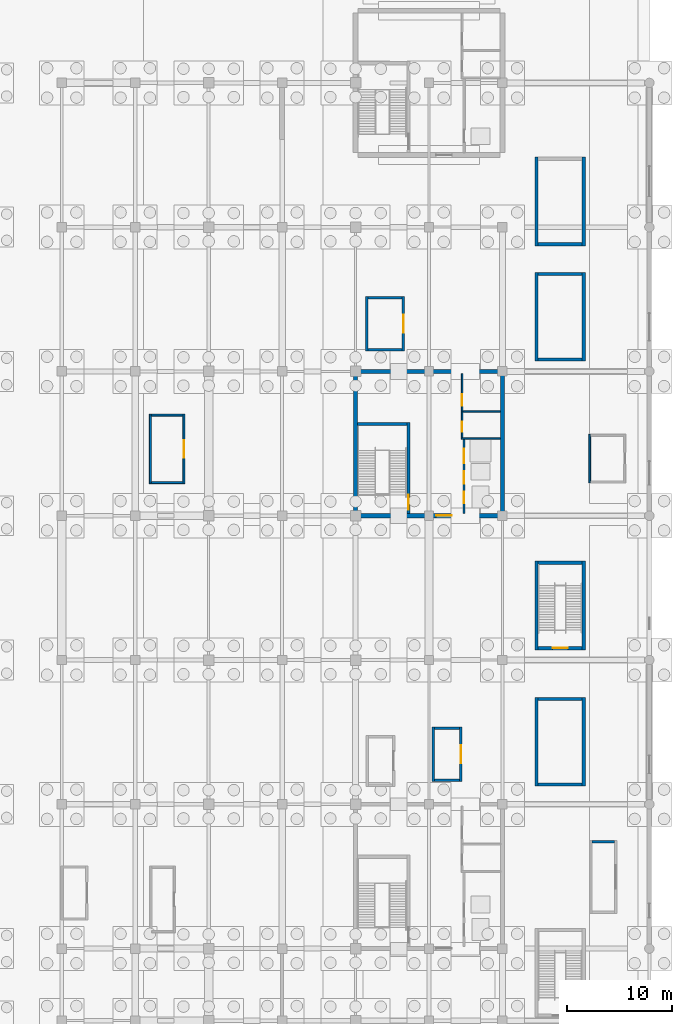
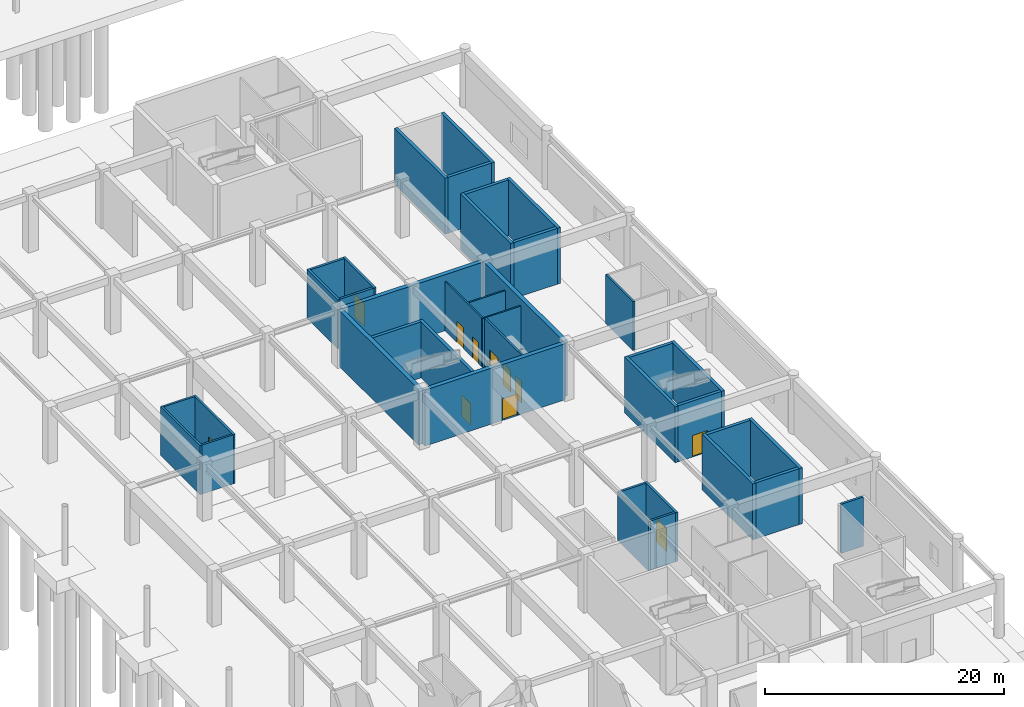
# One storey, part 45 of 62: 39 walls, 11 doors, 11 openings.
"""IFC4 building model written with IfcOpenShell, lengths in metres."""

from ifc_helpers import new_model, si_unit, direction, frame, frame_2d, origin, place, context, subcontext, project, spatial, rectangle, extrude, material, layer, layer_set, type_object, element, fill, save


model = new_model("IFC4")

# Units and contexts
model_context = context("Model", 3, precision=1e-05, world=origin(), true_north=direction((0.0, 1.0)))
body_context = subcontext(model_context, "Body", "Model", "MODEL_VIEW")
ifc_project = project(units=[si_unit("LENGTHUNIT", "METRE"), si_unit("AREAUNIT", "SQUARE_METRE"), si_unit("VOLUMEUNIT", "CUBIC_METRE"), si_unit("PLANEANGLEUNIT", "RADIAN"), si_unit("MASSUNIT", "GRAM", prefix="KILO")], contexts=[model_context])

# Site, building, storey
site_placement = place(None, origin())
site = spatial("IfcSite", under=ifc_project, at=site_placement, CompositionType="ELEMENT")
building_placement = place(site_placement, origin())
building = spatial("IfcBuilding", under=site, at=building_placement, Name="Linyun Crest Stadium", CompositionType="ELEMENT")
storey_placement = place(building_placement, frame((0.0, 0.0, -6.0)))
storey = spatial("IfcBuildingStorey", under=building, at=storey_placement, Name="B1", CompositionType="ELEMENT", Elevation=-6.0)

# Walls
ifc_material_1 = material(Name="Concrete C50", Category="concrete")
ifc_layer_1 = layer(ifc_material_1, 0.39990234375)
ifc_layer_set_1 = layer_set([ifc_layer_1], Name="Concrete C50")
wall_type_1 = type_object("IfcWallType", Name="CW02", PredefinedType="SHEAR", material=ifc_layer_set_1)
for number, where, z_axis, x_axis, name in (
    (1, (70.0, 2.324951171875, 0.0), (0.0, 0.0, 1.0), (0.0, 1.0, 0.0), "Core shear wall CW02 CORE-E2 B1.1"),
    (2, (84.0, 2.324951171875, 0.0), (0.0, 0.0, 1.0), (0.0, 1.0, 0.0), "Core shear wall CW02 CORE-E2 B1.2"),
):
    element("IfcWall", number, at=place(storey_placement, frame(where, z_axis=z_axis, x_axis=x_axis)), inside=storey, type_object=wall_type_1, Name=name, PredefinedType="SHEAR", context=body_context, shape_type="SweptSolid", body=[
        extrude(rectangle(XDim=13.35009765625, YDim=0.39990234375, at=frame_2d((6.675048828125, 0.0))), origin(), (0.0, 0.0, 1.0), 5.719970703125),
    ])

# Wall, opening, door
wall_1_placement = place(storey_placement, frame((70.199951171875, 2.125, 0.0), z_axis=(0.0, 0.0, 1.0), x_axis=(1.0, 0.0, 0.0)))
wall_1 = element("IfcWall", 3, at=wall_1_placement, inside=storey, type_object=wall_type_1, Name="Core shear wall CW02 CORE-E2 B1.3", PredefinedType="SHEAR", context=body_context, shape_type="SweptSolid", body=[
    extrude(rectangle(XDim=13.60009765625, YDim=0.39990234375, at=frame_2d((6.800048828125, 0.0))), origin(), (0.0, 0.0, 1.0), 5.719970703125),
])
opening_1_placement = place(wall_1_placement, frame((7.47998046875, 0.0, 0.0)))
opening_1 = element("IfcOpeningElement", 4, at=opening_1_placement, cuts=wall_1, Name="Opening D-B1-184", PredefinedType="OPENING", context=body_context, shape_type="SweptSolid", body=[
    extrude(rectangle(XDim=1.5, YDim=2.199951171875, at=frame_2d((0.75, 1.10009765625))), frame((0.0, 0.2099609375, 0.0), z_axis=(0.0, -1.0, 0.0), x_axis=(1.0, 0.0, 0.0)), (0.0, 0.0, 1.0), 0.419921875),
])
ifc_material_2 = material(Name="Galvanized steel Class A fire door", Category="steel")
ifc_layer_2 = layer(ifc_material_2, 0.054931640625)
ifc_layer_set_2 = layer_set([ifc_layer_2], Name="Galvanized steel Class A fire door")
door_type_1 = type_object("IfcDoorType", Name="FD01", OperationType="NOTDEFINED", PredefinedType="DOOR", material=ifc_layer_set_2)
door_1_placement = place(opening_1_placement, origin())
door_1 = element("IfcDoor", 5, at=door_1_placement, inside=storey, type_object=door_type_1, Name="Door D-B1-184", OperationType="SINGLE_SWING_RIGHT", OverallHeight=2.199951171875, OverallWidth=1.5, PredefinedType="DOOR", context=body_context, shape_type="SweptSolid", body=[
    extrude(rectangle(XDim=1.5, YDim=2.199951171875, at=frame_2d((0.75, 1.10009765625))), frame((0.0, 0.02490234375, 0.0), z_axis=(0.0, -1.0, 0.0), x_axis=(1.0, 0.0, 0.0)), (0.0, 0.0, 1.0), 0.050048828125),
])
fill(opening_1, door_1)

# Wall
wall_2_placement = place(storey_placement, frame((70.199951171875, 15.875, 0.0), z_axis=(0.0, 0.0, 1.0), x_axis=(1.0, 0.0, 0.0)))
element("IfcWall", 6, at=wall_2_placement, inside=storey, type_object=wall_type_1, Name="Core shear wall CW02 CORE-E2 B1.4", PredefinedType="SHEAR", context=body_context, shape_type="SweptSolid", body=[
    extrude(rectangle(XDim=13.60009765625, YDim=0.39990234375, at=frame_2d((6.800048828125, 0.0))), origin(), (0.0, 0.0, 1.0), 5.719970703125),
])

# Wall, openings, doors
ifc_material_3 = material(Name="Autoclaved aerated concrete block fire partition", Category="concrete")
ifc_layer_3 = layer(ifc_material_3, 0.179931640625)
ifc_layer_set_3 = layer_set([ifc_layer_3], Name="Autoclaved aerated concrete block fire partition")
wall_type_2 = type_object("IfcWallType", Name="PW12", PredefinedType="PARTITIONING", material=ifc_layer_set_3)
wall_3_placement = place(storey_placement, frame((80.35009765625, 2.324951171875, 0.0), z_axis=(0.0, 0.0, 1.0), x_axis=(0.0, 1.0, 0.0)))
wall_3 = element("IfcWall", 7, at=wall_3_placement, inside=storey, type_object=wall_type_2, Name="Partition PW12 B1 69", PredefinedType="PARTITIONING", context=body_context, shape_type="SweptSolid", body=[
    extrude(rectangle(XDim=7.080078125, YDim=0.179931640625, at=frame_2d((3.5400390625, 0.0))), origin(), (0.0, 0.0, 1.0), 5.02001953125),
])
opening_2_placement = place(wall_3_placement, frame((1.0, 0.0, 0.0)))
opening_2 = element("IfcOpeningElement", 8, at=opening_2_placement, cuts=wall_3, Name="Opening LD061", PredefinedType="OPENING", context=body_context, shape_type="SweptSolid", body=[
    extrude(rectangle(XDim=1.10009765625, YDim=2.199951171875, at=frame_2d((0.550048828125, 1.10009765625))), frame((0.0, 0.099853515625, 0.0), z_axis=(0.0, -1.0, 0.0), x_axis=(1.0, 0.0, 0.0)), (0.0, 0.0, 1.0), 0.199951171875),
])
opening_3_placement = place(wall_3_placement, frame((2.85009765625, 0.0, 0.0)))
opening_3 = element("IfcOpeningElement", 9, at=opening_3_placement, cuts=wall_3, Name="Opening LD062", PredefinedType="OPENING", context=body_context, shape_type="SweptSolid", body=[
    extrude(rectangle(XDim=1.199951171875, YDim=2.25, at=frame_2d((0.60009765625, 1.125))), frame((0.0, 0.099853515625, 0.0), z_axis=(0.0, -1.0, 0.0), x_axis=(1.0, 0.0, 0.0)), (0.0, 0.0, 1.0), 0.199951171875),
])
opening_4_placement = place(wall_3_placement, frame((4.800048828125, 0.0, 0.0)))
opening_4 = element("IfcOpeningElement", 10, at=opening_4_placement, cuts=wall_3, Name="Opening LD063", PredefinedType="OPENING", context=body_context, shape_type="SweptSolid", body=[
    extrude(rectangle(XDim=1.39990234375, YDim=2.300048828125, at=frame_2d((0.699951171875, 1.14990234375))), frame((0.0, 0.099853515625, 0.0), z_axis=(0.0, -1.0, 0.0), x_axis=(1.0, 0.0, 0.0)), (0.0, 0.0, 1.0), 0.199951171875),
])
ifc_material_4 = material(Name="Brushed stainless sliding lift door")
ifc_layer_4 = layer(ifc_material_4, 0.050048828125)
ifc_layer_set_4 = layer_set([ifc_layer_4], Name="Brushed stainless sliding lift door")
door_type_2 = type_object("IfcDoorType", Name="LD01", OperationType="NOTDEFINED", PredefinedType="DOOR", material=ifc_layer_set_4)
door_2_placement = place(opening_2_placement, origin())
door_2 = element("IfcDoor", 11, at=door_2_placement, inside=storey, type_object=door_type_2, Name="Lift landing door LD061", OperationType="DOUBLE_DOOR_SLIDING", OverallHeight=2.199951171875, OverallWidth=1.10009765625, PredefinedType="DOOR", context=body_context, shape_type="SweptSolid", body=[
    extrude(rectangle(XDim=1.10009765625, YDim=2.199951171875, at=frame_2d((0.550048828125, 1.10009765625))), frame((0.0, 0.02490234375, 0.0), z_axis=(0.0, -1.0, 0.0), x_axis=(1.0, 0.0, 0.0)), (0.0, 0.0, 1.0), 0.050048828125),
])
fill(opening_2, door_2)
ifc_material_5 = material(Name="Brushed stainless sliding lift door")
ifc_layer_5 = layer(ifc_material_5, 0.050048828125)
ifc_layer_set_5 = layer_set([ifc_layer_5], Name="Brushed stainless sliding lift door")
door_type_3 = type_object("IfcDoorType", Name="LD02", OperationType="NOTDEFINED", PredefinedType="DOOR", material=ifc_layer_set_5)
door_3_placement = place(opening_3_placement, origin())
door_3 = element("IfcDoor", 12, at=door_3_placement, inside=storey, type_object=door_type_3, Name="Lift landing door LD062", OperationType="DOUBLE_DOOR_SLIDING", OverallHeight=2.25, OverallWidth=1.199951171875, PredefinedType="DOOR", context=body_context, shape_type="SweptSolid", body=[
    extrude(rectangle(XDim=1.199951171875, YDim=2.25, at=frame_2d((0.60009765625, 1.125))), frame((0.0, 0.02490234375, 0.0), z_axis=(0.0, -1.0, 0.0), x_axis=(1.0, 0.0, 0.0)), (0.0, 0.0, 1.0), 0.050048828125),
])
fill(opening_3, door_3)
ifc_material_6 = material(Name="Heavy-duty stainless sliding door")
ifc_layer_6 = layer(ifc_material_6, 0.054931640625)
ifc_layer_set_6 = layer_set([ifc_layer_6], Name="Heavy-duty stainless sliding door")
door_type_4 = type_object("IfcDoorType", Name="LD03", OperationType="NOTDEFINED", PredefinedType="DOOR", material=ifc_layer_set_6)
door_4_placement = place(opening_4_placement, origin())
door_4 = element("IfcDoor", 13, at=door_4_placement, inside=storey, type_object=door_type_4, Name="Lift landing door LD063", OperationType="DOUBLE_DOOR_SLIDING", OverallHeight=2.300048828125, OverallWidth=1.39990234375, PredefinedType="DOOR", context=body_context, shape_type="SweptSolid", body=[
    extrude(rectangle(XDim=1.39990234375, YDim=2.300048828125, at=frame_2d((0.699951171875, 1.14990234375))), frame((0.0, 0.02490234375, 0.0), z_axis=(0.0, -1.0, 0.0), x_axis=(1.0, 0.0, 0.0)), (0.0, 0.0, 1.0), 0.050048828125),
])
fill(opening_4, door_4)

# Wall
ifc_material_7 = material(Name="Double steel-stud acoustic fire partition", Category="steel")
ifc_layer_7 = layer(ifc_material_7, 0.1650390625)
ifc_layer_set_7 = layer_set([ifc_layer_7], Name="Double steel-stud acoustic fire partition")
wall_type_3 = type_object("IfcWallType", Name="PW13", PredefinedType="PARTITIONING", material=ifc_layer_set_7)
wall_4_placement = place(storey_placement, frame((92.322998046875, 5.26806640625, 0.0), z_axis=(0.0, 0.0, 1.0), x_axis=(0.0, 1.0, 0.0)))
element("IfcWall", 14, at=wall_4_placement, inside=storey, type_object=wall_type_3, Name="Enclosure partition PW13 B1 160", PredefinedType="PARTITIONING", context=body_context, shape_type="SweptSolid", body=[
    extrude(rectangle(XDim=4.599853515625, YDim=0.1650390625, at=frame_2d((2.2998046875, 0.0))), origin(), (0.0, 0.0, 1.0), 5.02001953125),
])

# Wall, openings, doors
ifc_material_8 = material(Name="Moisture-resistant ceramic-tiled wet-room wall")
ifc_layer_8 = layer(ifc_material_8, 0.139892578125)
ifc_layer_set_8 = layer_set([ifc_layer_8], Name="Moisture-resistant ceramic-tiled wet-room wall")
wall_type_4 = type_object("IfcWallType", Name="PW15", PredefinedType="PARTITIONING", material=ifc_layer_set_8)
wall_5_placement = place(storey_placement, frame((80.14990234375, 9.544921875, 0.0), z_axis=(0.0, 0.0, 1.0), x_axis=(0.0, 1.0, 0.0)))
wall_5 = element("IfcWall", 15, at=wall_5_placement, inside=storey, type_object=wall_type_4, Name="Partition PW15 B1 70", PredefinedType="PARTITIONING", context=body_context, shape_type="SweptSolid", body=[
    extrude(rectangle(XDim=6.130126953125, YDim=0.139892578125, at=frame_2d((3.06494140625, 0.0))), origin(), (0.0, 0.0, 1.0), 5.02001953125),
])
opening_5_placement = place(wall_5_placement, frame((0.580078125, 0.0, 0.0)))
opening_5 = element("IfcOpeningElement", 16, at=opening_5_placement, cuts=wall_5, Name="Opening D-B1-189", PredefinedType="OPENING", context=body_context, shape_type="SweptSolid", body=[
    extrude(rectangle(XDim=0.949951171875, YDim=2.14990234375, at=frame_2d((0.47509765625, 1.074951171875))), frame((0.0, 0.079833984375, 0.0), z_axis=(0.0, -1.0, 0.0), x_axis=(1.0, 0.0, 0.0)), (0.0, 0.0, 1.0), 0.159912109375),
])
opening_6_placement = place(wall_5_placement, frame((3.080078125, 0.0, 0.0)))
opening_6 = element("IfcOpeningElement", 17, at=opening_6_placement, cuts=wall_5, Name="Opening D-B1-190", PredefinedType="OPENING", context=body_context, shape_type="SweptSolid", body=[
    extrude(rectangle(XDim=1.10009765625, YDim=2.14990234375, at=frame_2d((0.550048828125, 1.074951171875))), frame((0.0, 0.079833984375, 0.0), z_axis=(0.0, -1.0, 0.0), x_axis=(1.0, 0.0, 0.0)), (0.0, 0.0, 1.0), 0.159912109375),
])
ifc_material_9 = material(Name="Moisture-resistant laminate leaf")
ifc_layer_9 = layer(ifc_material_9, 0.044921875)
ifc_layer_set_9 = layer_set([ifc_layer_9], Name="Moisture-resistant laminate leaf")
door_type_5 = type_object("IfcDoorType", Name="ID02", OperationType="NOTDEFINED", PredefinedType="DOOR", material=ifc_layer_set_9)
door_5_placement = place(opening_5_placement, origin())
door_5 = element("IfcDoor", 18, at=door_5_placement, inside=storey, type_object=door_type_5, Name="Door D-B1-189", OperationType="SINGLE_SWING_LEFT", OverallHeight=2.14990234375, OverallWidth=0.949951171875, PredefinedType="DOOR", context=body_context, shape_type="SweptSolid", body=[
    extrude(rectangle(XDim=0.949951171875, YDim=2.14990234375, at=frame_2d((0.47509765625, 1.074951171875))), frame((0.0, 0.02490234375, 0.0), z_axis=(0.0, -1.0, 0.0), x_axis=(1.0, 0.0, 0.0)), (0.0, 0.0, 1.0), 0.050048828125),
])
fill(opening_5, door_5)
ifc_material_10 = material(Name="Moisture-resistant laminate leaf")
ifc_layer_10 = layer(ifc_material_10, 0.044921875)
ifc_layer_set_10 = layer_set([ifc_layer_10], Name="Moisture-resistant laminate leaf")
door_type_6 = type_object("IfcDoorType", Name="ID03", OperationType="NOTDEFINED", PredefinedType="DOOR", material=ifc_layer_set_10)
door_6_placement = place(opening_6_placement, origin())
door_6 = element("IfcDoor", 19, at=door_6_placement, inside=storey, type_object=door_type_6, Name="Door D-B1-190", OperationType="SINGLE_SWING_RIGHT", OverallHeight=2.14990234375, OverallWidth=1.10009765625, PredefinedType="DOOR", context=body_context, shape_type="SweptSolid", body=[
    extrude(rectangle(XDim=1.10009765625, YDim=2.14990234375, at=frame_2d((0.550048828125, 1.074951171875))), frame((0.0, 0.02490234375, 0.0), z_axis=(0.0, -1.0, 0.0), x_axis=(1.0, 0.0, 0.0)), (0.0, 0.0, 1.0), 0.050048828125),
])
fill(opening_6, door_6)

# Walls
wall_6_placement = place(storey_placement, frame((80.080078125, 9.47509765625, 0.0), z_axis=(0.0, 0.0, 1.0), x_axis=(1.0, 0.0, 0.0)))
element("IfcWall", 20, at=wall_6_placement, inside=storey, type_object=wall_type_4, Name="Enclosure partition PW15 B1 55", PredefinedType="PARTITIONING", context=body_context, shape_type="SweptSolid", body=[
    extrude(rectangle(XDim=3.719970703125, YDim=0.139892578125, at=frame_2d((1.85986328125, 0.0))), origin(), (0.0, 0.0, 1.0), 5.02001953125),
])
wall_7_placement = place(storey_placement, frame((80.219970703125, 12.074951171875, 0.0), z_axis=(0.0, 0.0, 1.0), x_axis=(1.0, 0.0, 0.0)))
element("IfcWall", 21, at=wall_7_placement, inside=storey, type_object=wall_type_4, Name="Enclosure partition PW15 B1 56", PredefinedType="PARTITIONING", context=body_context, shape_type="SweptSolid", body=[
    extrude(rectangle(XDim=3.580078125, YDim=0.139892578125, at=frame_2d((1.7900390625, 0.0))), origin(), (0.0, 0.0, 1.0), 5.02001953125),
])

# Wall, opening, door
ifc_material_11 = material(Name="Acoustic broadcast studio double-leaf partition")
ifc_layer_11 = layer(ifc_material_11, 0.219970703125)
ifc_layer_set_11 = layer_set([ifc_layer_11], Name="Acoustic broadcast studio double-leaf partition")
wall_type_5 = type_object("IfcWallType", Name="PW16", PredefinedType="PARTITIONING", material=ifc_layer_set_11)
wall_8_placement = place(storey_placement, frame((74.552978515625, 23.013916015625, 0.0), z_axis=(0.0, 0.0, 1.0), x_axis=(0.0, -1.0, 0.0)))
wall_8 = element("IfcWall", 22, at=wall_8_placement, inside=storey, type_object=wall_type_5, Name="Partition PW16 B1 150", PredefinedType="PARTITIONING", context=body_context, shape_type="SweptSolid", body=[
    extrude(rectangle(XDim=5.179931640625, YDim=0.219970703125, at=frame_2d((2.58984375, 0.0))), origin(), (0.0, 0.0, 1.0), 5.02001953125),
])
opening_7_placement = place(wall_8_placement, frame((1.715087890625, 0.0, 0.0)))
opening_7 = element("IfcOpeningElement", 23, at=opening_7_placement, cuts=wall_8, Name="Opening D-B1-413", PredefinedType="OPENING", context=body_context, shape_type="SweptSolid", body=[
    extrude(rectangle(XDim=1.75, YDim=2.35009765625, at=frame_2d((0.875, 1.175048828125))), frame((0.0, 0.119873046875, 0.0), z_axis=(0.0, -1.0, 0.0), x_axis=(1.0, 0.0, 0.0)), (0.0, 0.0, 1.0), 0.239990234375),
])
ifc_material_12 = material(Name="Art Nouveau brass-inlaid double door")
ifc_layer_12 = layer(ifc_material_12, 0.054931640625)
ifc_layer_set_12 = layer_set([ifc_layer_12], Name="Art Nouveau brass-inlaid double door")
door_type_7 = type_object("IfcDoorType", Name="ID13", OperationType="NOTDEFINED", PredefinedType="DOOR", material=ifc_layer_set_12)
door_7_placement = place(opening_7_placement, origin())
door_7 = element("IfcDoor", 24, at=door_7_placement, inside=storey, type_object=door_type_7, Name="Door D-B1-413", OperationType="DOUBLE_DOOR_SINGLE_SWING", OverallHeight=2.35009765625, OverallWidth=1.75, PredefinedType="DOOR", context=body_context, shape_type="SweptSolid", body=[
    extrude(rectangle(XDim=1.75, YDim=2.35009765625, at=frame_2d((0.875, 1.175048828125))), frame((0.0, 0.02490234375, 0.0), z_axis=(0.0, -1.0, 0.0), x_axis=(1.0, 0.0, 0.0)), (0.0, 0.0, 1.0), 0.050048828125),
])
fill(opening_7, door_7)

wall_9_placement = place(storey_placement, frame((80.035888671875, -18.010009765625, 0.0), z_axis=(0.0, 0.0, 1.0), x_axis=(0.0, -1.0, 0.0)))
wall_9 = element("IfcWall", 25, at=wall_9_placement, inside=storey, type_object=wall_type_5, Name="Partition PW16 B1 253", PredefinedType="PARTITIONING", context=body_context, shape_type="SweptSolid", body=[
    extrude(rectangle(XDim=5.179931640625, YDim=0.219970703125, at=frame_2d((2.58984375, 0.0))), origin(), (0.0, 0.0, 1.0), 5.02001953125),
])
opening_8_placement = place(wall_9_placement, frame((1.715087890625, 0.0, 0.0)))
opening_8 = element("IfcOpeningElement", 26, at=opening_8_placement, cuts=wall_9, Name="Opening D-B1-516", PredefinedType="OPENING", context=body_context, shape_type="SweptSolid", body=[
    extrude(rectangle(XDim=1.75, YDim=2.35009765625, at=frame_2d((0.875, 1.175048828125))), frame((0.0, 0.119873046875, 0.0), z_axis=(0.0, -1.0, 0.0), x_axis=(1.0, 0.0, 0.0)), (0.0, 0.0, 1.0), 0.239990234375),
])
door_8_placement = place(opening_8_placement, origin())
door_8 = element("IfcDoor", 27, at=door_8_placement, inside=storey, type_object=door_type_7, Name="Door D-B1-516", OperationType="DOUBLE_DOOR_SINGLE_SWING", OverallHeight=2.35009765625, OverallWidth=1.75, PredefinedType="DOOR", context=body_context, shape_type="SweptSolid", body=[
    extrude(rectangle(XDim=1.75, YDim=2.35009765625, at=frame_2d((0.875, 1.175048828125))), frame((0.0, 0.02490234375, 0.0), z_axis=(0.0, -1.0, 0.0), x_axis=(1.0, 0.0, 0.0)), (0.0, 0.0, 1.0), 0.050048828125),
])
fill(opening_8, door_8)

# Walls
wall_10_placement = place(storey_placement, frame((71.072998046875, 17.833984375, 0.0), z_axis=(0.0, 0.0, 1.0), x_axis=(0.0, 1.0, 0.0)))
element("IfcWall", 28, at=wall_10_placement, inside=storey, type_object=wall_type_5, Name="Enclosure partition PW16 B1 166", PredefinedType="PARTITIONING", context=body_context, shape_type="SweptSolid", body=[
    extrude(rectangle(XDim=5.179931640625, YDim=0.219970703125, at=frame_2d((2.58984375, 0.0))), origin(), (0.0, 0.0, 1.0), 5.02001953125),
])
for number, where, z_axis, x_axis, name in (
    (29, (71.18310546875, 17.944091796875, 0.0), (0.0, 0.0, 1.0), (1.0, 0.0, 0.0), "Enclosure partition PW16 B1 167"),
    (30, (71.18310546875, 22.904052734375, 0.0), (0.0, 0.0, 1.0), (1.0, 0.0, 0.0), "Enclosure partition PW16 B1 168"),
):
    element("IfcWall", number, at=place(storey_placement, frame(where, z_axis=z_axis, x_axis=x_axis)), inside=storey, type_object=wall_type_5, Name=name, PredefinedType="PARTITIONING", context=body_context, shape_type="SweptSolid", body=[
        extrude(rectangle(XDim=3.260009765625, YDim=0.219970703125, at=frame_2d((1.6298828125, 0.0))), origin(), (0.0, 0.0, 1.0), 5.02001953125),
    ])
wall_11_placement = place(storey_placement, frame((77.39599609375, -23.18994140625, 0.0), z_axis=(0.0, 0.0, 1.0), x_axis=(0.0, 1.0, 0.0)))
element("IfcWall", 31, at=wall_11_placement, inside=storey, type_object=wall_type_5, Name="Enclosure partition PW16 B1 475", PredefinedType="PARTITIONING", context=body_context, shape_type="SweptSolid", body=[
    extrude(rectangle(XDim=5.179931640625, YDim=0.219970703125, at=frame_2d((2.58984375, 0.0))), origin(), (0.0, 0.0, 1.0), 5.02001953125),
])
for number, where, z_axis, x_axis, name in (
    (32, (77.506103515625, -23.080078125, 0.0), (0.0, 0.0, 1.0), (1.0, 0.0, 0.0), "Enclosure partition PW16 B1 476"),
    (33, (77.506103515625, -18.1201171875, 0.0), (0.0, 0.0, 1.0), (1.0, 0.0, 0.0), "Enclosure partition PW16 B1 477"),
):
    element("IfcWall", number, at=place(storey_placement, frame(where, z_axis=z_axis, x_axis=x_axis)), inside=storey, type_object=wall_type_5, Name=name, PredefinedType="PARTITIONING", context=body_context, shape_type="SweptSolid", body=[
        extrude(rectangle(XDim=2.419921875, YDim=0.219970703125, at=frame_2d((1.2099609375, 0.0))), origin(), (0.0, 0.0, 1.0), 5.02001953125),
    ])

# Wall, opening, door
ifc_material_13 = material(Name="Ticketing hall security partition")
ifc_layer_13 = layer(ifc_material_13, 0.18994140625)
ifc_layer_set_13 = layer_set([ifc_layer_13], Name="Ticketing hall security partition")
wall_type_6 = type_object("IfcWallType", Name="PW25", PredefinedType="PARTITIONING", material=ifc_layer_set_13)
wall_12_placement = place(storey_placement, frame((53.638916015625, 11.805908203125, 0.0), z_axis=(0.0, 0.0, 1.0), x_axis=(0.0, -1.0, 0.0)))
wall_12 = element("IfcWall", 34, at=wall_12_placement, inside=storey, type_object=wall_type_6, Name="Partition PW25 B1 146", PredefinedType="PARTITIONING", context=body_context, shape_type="SweptSolid", body=[
    extrude(rectangle(XDim=6.6298828125, YDim=0.18994140625, at=frame_2d((3.31494140625, 0.0))), origin(), (0.0, 0.0, 1.0), 5.02001953125),
])
opening_9_placement = place(wall_12_placement, frame((2.489990234375, 0.0, 0.0)))
opening_9 = element("IfcOpeningElement", 35, at=opening_9_placement, cuts=wall_12, Name="Opening D-B1-409", PredefinedType="OPENING", context=body_context, shape_type="SweptSolid", body=[
    extrude(rectangle(XDim=1.64990234375, YDim=2.300048828125, at=frame_2d((0.824951171875, 1.14990234375))), frame((0.0, 0.10498046875, 0.0), z_axis=(0.0, -1.0, 0.0), x_axis=(1.0, 0.0, 0.0)), (0.0, 0.0, 1.0), 0.2099609375),
])
ifc_material_14 = material(Name="Double-leaf acoustic timber door", Category="wood")
ifc_layer_14 = layer(ifc_material_14, 0.050048828125)
ifc_layer_set_14 = layer_set([ifc_layer_14], Name="Double-leaf acoustic timber door")
door_type_8 = type_object("IfcDoorType", Name="ID09", OperationType="NOTDEFINED", PredefinedType="DOOR", material=ifc_layer_set_14)
door_9_placement = place(opening_9_placement, origin())
door_9 = element("IfcDoor", 36, at=door_9_placement, inside=storey, type_object=door_type_8, Name="Door D-B1-409", OperationType="SINGLE_SWING_LEFT", OverallHeight=2.300048828125, OverallWidth=1.64990234375, PredefinedType="DOOR", context=body_context, shape_type="SweptSolid", body=[
    extrude(rectangle(XDim=1.64990234375, YDim=2.300048828125, at=frame_2d((0.824951171875, 1.14990234375))), frame((0.0, 0.02490234375, 0.0), z_axis=(0.0, -1.0, 0.0), x_axis=(1.0, 0.0, 0.0)), (0.0, 0.0, 1.0), 0.050048828125),
])
fill(opening_9, door_9)

# Walls
wall_13_placement = place(storey_placement, frame((50.43896484375, 5.176025390625, 0.0), z_axis=(0.0, 0.0, 1.0), x_axis=(0.0, 1.0, 0.0)))
element("IfcWall", 37, at=wall_13_placement, inside=storey, type_object=wall_type_6, Name="Enclosure partition PW25 B1 154", PredefinedType="PARTITIONING", context=body_context, shape_type="SweptSolid", body=[
    extrude(rectangle(XDim=6.6298828125, YDim=0.18994140625, at=frame_2d((3.31494140625, 0.0))), origin(), (0.0, 0.0, 1.0), 5.02001953125),
])
for number, where, z_axis, x_axis, name in (
    (38, (50.533935546875, 5.27099609375, 0.0), (0.0, 0.0, 1.0), (1.0, 0.0, 0.0), "Enclosure partition PW25 B1 155"),
    (39, (50.533935546875, 11.7109375, 0.0), (0.0, 0.0, 1.0), (1.0, 0.0, 0.0), "Enclosure partition PW25 B1 156"),
):
    element("IfcWall", number, at=place(storey_placement, frame(where, z_axis=z_axis, x_axis=x_axis)), inside=storey, type_object=wall_type_6, Name=name, PredefinedType="PARTITIONING", context=body_context, shape_type="SweptSolid", body=[
        extrude(rectangle(XDim=3.010009765625, YDim=0.18994140625, at=frame_2d((1.5048828125, 0.0))), origin(), (0.0, 0.0, 1.0), 5.02001953125),
    ])
ifc_material_15 = material(Name="Kitchen hood and service riser enclosure wall")
ifc_layer_15 = layer(ifc_material_15, 0.2099609375)
ifc_layer_set_15 = layer_set([ifc_layer_15], Name="Kitchen hood and service riser enclosure wall")
wall_type_7 = type_object("IfcWallType", Name="PW26", PredefinedType="PARTITIONING", material=ifc_layer_set_15)
wall_14_placement = place(storey_placement, frame((92.537109375, -28.946044921875, 0.0), z_axis=(0.0, 0.0, 1.0), x_axis=(1.0, 0.0, 0.0)))
element("IfcWall", 40, at=wall_14_placement, inside=storey, type_object=wall_type_7, Name="Enclosure partition PW26 B1 159", PredefinedType="PARTITIONING", context=body_context, shape_type="SweptSolid", body=[
    extrude(rectangle(XDim=2.14990234375, YDim=0.2099609375, at=frame_2d((1.074951171875, 0.0))), origin(), (0.0, 0.0, 1.0), 5.02001953125),
])

# Wall, opening, door
ifc_material_16 = material(Name="Concrete C50", Category="concrete")
ifc_layer_16 = layer(ifc_material_16, 0.300048828125)
ifc_layer_set_16 = layer_set([ifc_layer_16], Name="Concrete C50")
wall_type_8 = type_object("IfcWallType", Name="SW01", PredefinedType="SHEAR", material=ifc_layer_set_16)
wall_15_placement = place(storey_placement, frame((75.050048828125, 2.324951171875, 0.0), z_axis=(0.0, 0.0, 1.0), x_axis=(0.0, 1.0, 0.0)))
wall_15 = element("IfcWall", 41, at=wall_15_placement, inside=storey, type_object=wall_type_8, Name="Core stair east bearing wall SW01 5 B1", PredefinedType="SHEAR", context=body_context, shape_type="SweptSolid", body=[
    extrude(rectangle(XDim=8.699951171875, YDim=0.300048828125, at=frame_2d((4.35009765625, 0.0))), origin(), (0.0, 0.0, 1.0), 5.719970703125),
])
opening_10_placement = place(wall_15_placement, frame((0.3701171875, 0.0, 0.0)))
opening_10 = element("IfcOpeningElement", 42, at=opening_10_placement, cuts=wall_15, Name="Opening D-B1-185", PredefinedType="OPENING", context=body_context, shape_type="SweptSolid", body=[
    extrude(rectangle(XDim=1.449951171875, YDim=2.199951171875, at=frame_2d((0.72509765625, 1.10009765625))), frame((0.0, 0.159912109375, 0.0), z_axis=(0.0, -1.0, 0.0), x_axis=(1.0, 0.0, 0.0)), (0.0, 0.0, 1.0), 0.320068359375),
])
ifc_material_17 = material(Name="Galvanized steel Class A fire door", Category="steel")
ifc_layer_17 = layer(ifc_material_17, 0.054931640625)
ifc_layer_set_17 = layer_set([ifc_layer_17], Name="Galvanized steel Class A fire door")
door_type_9 = type_object("IfcDoorType", Name="FD02", OperationType="NOTDEFINED", PredefinedType="DOOR", material=ifc_layer_set_17)
door_10_placement = place(opening_10_placement, origin())
door_10 = element("IfcDoor", 43, at=door_10_placement, inside=storey, type_object=door_type_9, Name="Door D-B1-185", OperationType="SINGLE_SWING_LEFT", OverallHeight=2.199951171875, OverallWidth=1.449951171875, PredefinedType="DOOR", context=body_context, shape_type="SweptSolid", body=[
    extrude(rectangle(XDim=1.449951171875, YDim=2.199951171875, at=frame_2d((0.72509765625, 1.10009765625))), frame((0.0, 0.02490234375, 0.0), z_axis=(0.0, -1.0, 0.0), x_axis=(1.0, 0.0, 0.0)), (0.0, 0.0, 1.0), 0.050048828125),
])
fill(opening_10, door_10)

# Walls
wall_16_placement = place(storey_placement, frame((70.199951171875, 10.875, 0.0), z_axis=(0.0, 0.0, 1.0), x_axis=(1.0, 0.0, 0.0)))
element("IfcWall", 44, at=wall_16_placement, inside=storey, type_object=wall_type_8, Name="Core stair bearing wall SW01 5 B1", PredefinedType="SHEAR", context=body_context, shape_type="SweptSolid", body=[
    extrude(rectangle(XDim=4.699951171875, YDim=0.300048828125, at=frame_2d((2.35009765625, 0.0))), origin(), (0.0, 0.0, 1.0), 5.719970703125),
])
for number, where, z_axis, x_axis, name in (
    (45, (87.39990234375, -23.5, 0.0), (0.0, 0.0, 1.0), (1.0, 0.0, 0.0), "Stair shaft wall SW01 STR-19 B1 S"),
    (46, (87.39990234375, -15.35009765625, 0.0), (0.0, 0.0, 1.0), (1.0, 0.0, 0.0), "Stair shaft wall SW01 STR-19 B1 N"),
):
    element("IfcWall", number, at=place(storey_placement, frame(where, z_axis=z_axis, x_axis=x_axis)), inside=storey, type_object=wall_type_8, Name=name, PredefinedType="SHEAR", context=body_context, shape_type="SweptSolid", body=[
        extrude(rectangle(XDim=4.2001953125, YDim=0.300048828125, at=frame_2d((2.10009765625, 0.0))), origin(), (0.0, 0.0, 1.0), 5.719970703125),
    ])
for number, where, z_axis, x_axis, name in (
    (47, (87.25, -23.64990234375, 0.0), (0.0, 0.0, 1.0), (0.0, 1.0, 0.0), "Stair shaft wall SW01 STR-19 B1 W"),
    (48, (91.75, -23.64990234375, 0.0), (0.0, 0.0, 1.0), (0.0, 1.0, 0.0), "Stair shaft wall SW01 STR-19 B1 E"),
):
    element("IfcWall", number, at=place(storey_placement, frame(where, z_axis=z_axis, x_axis=x_axis)), inside=storey, type_object=wall_type_8, Name=name, PredefinedType="SHEAR", context=body_context, shape_type="SweptSolid", body=[
        extrude(rectangle(XDim=8.449951171875, YDim=0.300048828125, at=frame_2d((4.22509765625, 0.0))), origin(), (0.0, 0.0, 1.0), 5.719970703125),
    ])

# Wall, opening, door
wall_17_placement = place(storey_placement, frame((87.39990234375, -10.5, 0.0), z_axis=(0.0, 0.0, 1.0), x_axis=(1.0, 0.0, 0.0)))
wall_17 = element("IfcWall", 49, at=wall_17_placement, inside=storey, type_object=wall_type_8, Name="Stair shaft wall SW01 STR-20 B1 S", PredefinedType="SHEAR", context=body_context, shape_type="SweptSolid", body=[
    extrude(rectangle(XDim=4.2001953125, YDim=0.300048828125, at=frame_2d((2.10009765625, 0.0))), origin(), (0.0, 0.0, 1.0), 5.719970703125),
])
opening_11_placement = place(wall_17_placement, frame((1.375, 0.0, 0.0)))
opening_11 = element("IfcOpeningElement", 50, at=opening_11_placement, cuts=wall_17, Name="Opening D-B1-578", PredefinedType="OPENING", context=body_context, shape_type="SweptSolid", body=[
    extrude(rectangle(XDim=1.449951171875, YDim=2.199951171875, at=frame_2d((0.72509765625, 1.10009765625))), frame((0.0, 0.159912109375, 0.0), z_axis=(0.0, -1.0, 0.0), x_axis=(1.0, 0.0, 0.0)), (0.0, 0.0, 1.0), 0.320068359375),
])
door_11_placement = place(opening_11_placement, origin())
door_11 = element("IfcDoor", 51, at=door_11_placement, inside=storey, type_object=door_type_9, Name="Door D-B1-578", OperationType="SINGLE_SWING_RIGHT", OverallHeight=2.199951171875, OverallWidth=1.449951171875, PredefinedType="DOOR", context=body_context, shape_type="SweptSolid", body=[
    extrude(rectangle(XDim=1.449951171875, YDim=2.199951171875, at=frame_2d((0.72509765625, 1.10009765625))), frame((0.0, 0.02490234375, 0.0), z_axis=(0.0, -1.0, 0.0), x_axis=(1.0, 0.0, 0.0)), (0.0, 0.0, 1.0), 0.050048828125),
])
fill(opening_11, door_11)

# Walls
wall_18_placement = place(storey_placement, frame((87.39990234375, -2.35009765625, 0.0), z_axis=(0.0, 0.0, 1.0), x_axis=(1.0, 0.0, 0.0)))
element("IfcWall", 52, at=wall_18_placement, inside=storey, type_object=wall_type_8, Name="Stair shaft wall SW01 STR-20 B1 N", PredefinedType="SHEAR", context=body_context, shape_type="SweptSolid", body=[
    extrude(rectangle(XDim=4.2001953125, YDim=0.300048828125, at=frame_2d((2.10009765625, 0.0))), origin(), (0.0, 0.0, 1.0), 5.719970703125),
])
for number, where, z_axis, x_axis, name in (
    (53, (87.25, -10.64990234375, 0.0), (0.0, 0.0, 1.0), (0.0, 1.0, 0.0), "Stair shaft wall SW01 STR-20 B1 W"),
    (54, (91.75, -10.64990234375, 0.0), (0.0, 0.0, 1.0), (0.0, 1.0, 0.0), "Stair shaft wall SW01 STR-20 B1 E"),
):
    element("IfcWall", number, at=place(storey_placement, frame(where, z_axis=z_axis, x_axis=x_axis)), inside=storey, type_object=wall_type_8, Name=name, PredefinedType="SHEAR", context=body_context, shape_type="SweptSolid", body=[
        extrude(rectangle(XDim=8.449951171875, YDim=0.300048828125, at=frame_2d((4.22509765625, 0.0))), origin(), (0.0, 0.0, 1.0), 5.719970703125),
    ])
for number, where, z_axis, x_axis, name in (
    (55, (87.39990234375, 17.0, 0.0), (0.0, 0.0, 1.0), (1.0, 0.0, 0.0), "Stair shaft wall SW01 STR-21 B1 S"),
    (56, (87.39990234375, 25.14990234375, 0.0), (0.0, 0.0, 1.0), (1.0, 0.0, 0.0), "Stair shaft wall SW01 STR-21 B1 N"),
):
    element("IfcWall", number, at=place(storey_placement, frame(where, z_axis=z_axis, x_axis=x_axis)), inside=storey, type_object=wall_type_8, Name=name, PredefinedType="SHEAR", context=body_context, shape_type="SweptSolid", body=[
        extrude(rectangle(XDim=4.2001953125, YDim=0.300048828125, at=frame_2d((2.10009765625, 0.0))), origin(), (0.0, 0.0, 1.0), 5.719970703125),
    ])
for number, where, z_axis, x_axis, name in (
    (57, (87.25, 16.85009765625, 0.0), (0.0, 0.0, 1.0), (0.0, 1.0, 0.0), "Stair shaft wall SW01 STR-21 B1 W"),
    (58, (91.75, 16.85009765625, 0.0), (0.0, 0.0, 1.0), (0.0, 1.0, 0.0), "Stair shaft wall SW01 STR-21 B1 E"),
):
    element("IfcWall", number, at=place(storey_placement, frame(where, z_axis=z_axis, x_axis=x_axis)), inside=storey, type_object=wall_type_8, Name=name, PredefinedType="SHEAR", context=body_context, shape_type="SweptSolid", body=[
        extrude(rectangle(XDim=8.449951171875, YDim=0.300048828125, at=frame_2d((4.22509765625, 0.0))), origin(), (0.0, 0.0, 1.0), 5.719970703125),
    ])
wall_19_placement = place(storey_placement, frame((87.39990234375, 28.0, 0.0), z_axis=(0.0, 0.0, 1.0), x_axis=(1.0, 0.0, 0.0)))
element("IfcWall", 59, at=wall_19_placement, inside=storey, type_object=wall_type_8, Name="Stair shaft wall SW01 STR-22 B1 S", PredefinedType="SHEAR", context=body_context, shape_type="SweptSolid", body=[
    extrude(rectangle(XDim=4.2001953125, YDim=0.300048828125, at=frame_2d((2.10009765625, 0.0))), origin(), (0.0, 0.0, 1.0), 5.719970703125),
])
for number, where, z_axis, x_axis, name in (
    (60, (87.25, 27.85009765625, 0.0), (0.0, 0.0, 1.0), (0.0, 1.0, 0.0), "Stair shaft wall SW01 STR-22 B1 W"),
    (61, (91.75, 27.85009765625, 0.0), (0.0, 0.0, 1.0), (0.0, 1.0, 0.0), "Stair shaft wall SW01 STR-22 B1 E"),
):
    element("IfcWall", number, at=place(storey_placement, frame(where, z_axis=z_axis, x_axis=x_axis)), inside=storey, type_object=wall_type_8, Name=name, PredefinedType="SHEAR", context=body_context, shape_type="SweptSolid", body=[
        extrude(rectangle(XDim=8.449951171875, YDim=0.300048828125, at=frame_2d((4.22509765625, 0.0))), origin(), (0.0, 0.0, 1.0), 5.719970703125),
    ])

save(model, "model.ifc")
